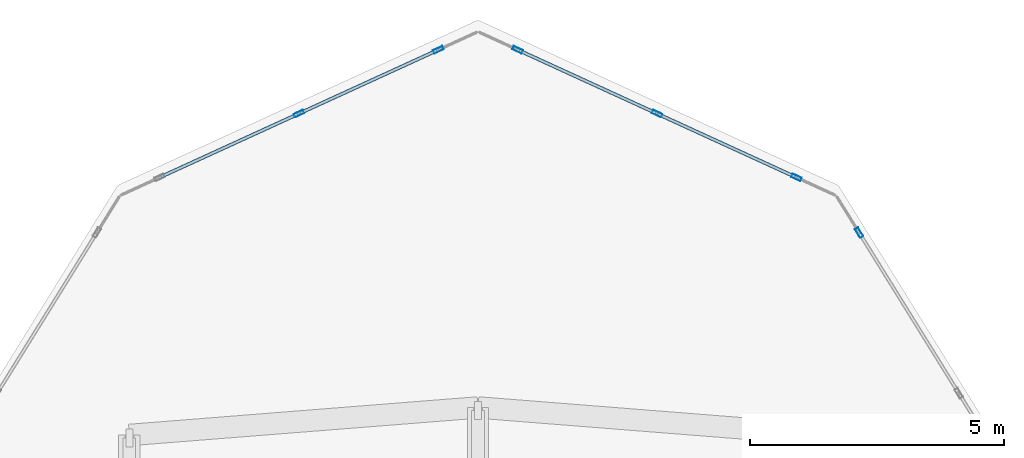
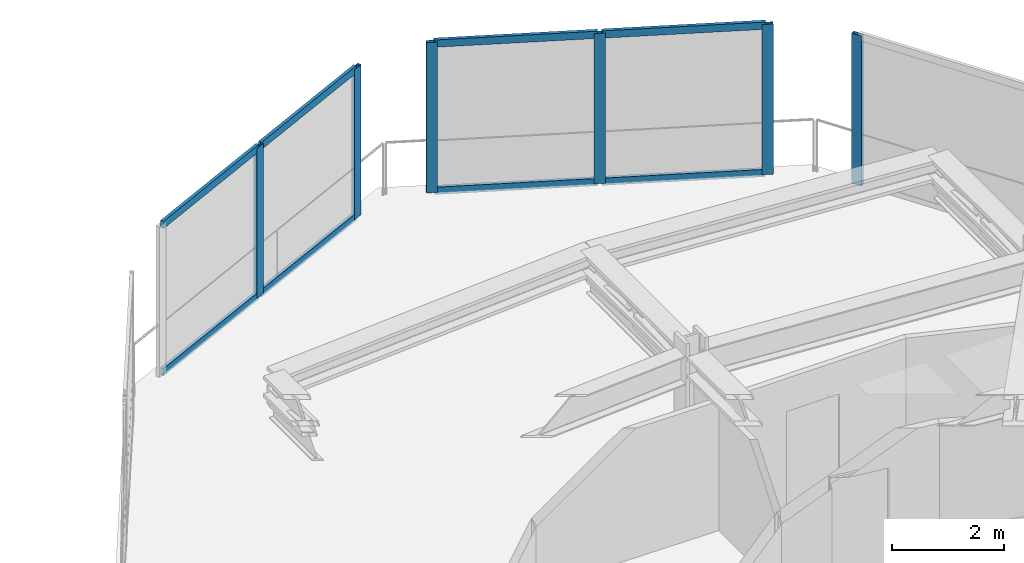
# One storey, part 10 of 19: 14 members, 3 elements without a shape of their own.
"""IFC4 building model written with IfcOpenShell, lengths in metres."""

from ifc_helpers import new_model, si_unit, direction, frame, origin, origin_2d, place, context, subcontext, project, spatial, hollow_rectangle, extrude, material, layer, layer_set, material_profile, profile_set, type_object, element, aggregate, save


model = new_model("IFC4")

# Units and contexts
model_context = context("Model", 3, precision=1e-05, world=origin(), true_north=direction((0.0, 1.0)))
body_context = subcontext(model_context, "Body", "Model", "MODEL_VIEW")
ifc_project = project(units=[si_unit("LENGTHUNIT", "METRE"), si_unit("AREAUNIT", "SQUARE_METRE"), si_unit("VOLUMEUNIT", "CUBIC_METRE"), si_unit("PLANEANGLEUNIT", "RADIAN"), si_unit("MASSUNIT", "GRAM", prefix="KILO")], contexts=[model_context])

# Site, building, storey
site_placement = place(None, origin())
site = spatial("IfcSite", under=ifc_project, at=site_placement, CompositionType="ELEMENT")
building_placement = place(site_placement, origin())
building = spatial("IfcBuilding", under=site, at=building_placement, Name="Solvane Sanctuary Tower", CompositionType="ELEMENT")
storey_placement = place(building_placement, frame((0.0, 0.0, 242.39990234375)))
storey = spatial("IfcBuildingStorey", under=building, at=storey_placement, Name="L74", CompositionType="ELEMENT", Elevation=242.39990234375)

# Curtain wall, member
ifc_material = material(Name="Anodised Aluminium 6063-T6", Category="aluminium")
ifc_layer = layer(ifc_material, 0.18994140625, Name="Anodised Aluminium 6063-T6")
ifc_layer_set = layer_set([ifc_layer], Name="Anodised Aluminium 6063-T6")
curtain_wall_type = type_object("IfcCurtainWallType", Name="Curtain Wall CW-OPER", PredefinedType="NOTDEFINED", material=ifc_layer_set)
curtain_wall_1_placement = place(storey_placement, origin())
curtain_wall_1 = element("IfcCurtainWall", 1, at=curtain_wall_1_placement, inside=storey, type_object=curtain_wall_type, Name="L74 CW-OPER Facade Run 04", PredefinedType="NOTDEFINED")
ifc_material_profile_1 = material_profile(ifc_material, hollow_rectangle(XDim=0.074951171875, YDim=0.199951171875, WallThickness=0.00390625, at=origin_2d()), Name="ALU200X75X4")
ifc_profile_set_1 = profile_set([ifc_material_profile_1], Name="Anodised Aluminium 6063-T6")
member_type_1 = type_object("IfcMemberType", Name="Member M-CW-MUL-1 ALU200X75X4", PredefinedType="MULLION", material=ifc_profile_set_1)
member_1_placement = place(storey_placement, frame((39.495361328125, 45.7177734375, 0.0), z_axis=(0.0, 0.0, 1.0), x_axis=(-0.849622273102, -0.527391688453, 0.0)))
member_1 = element("IfcMember", 2, at=member_1_placement, type_object=member_type_1, Name="CW-OPER mullion 3", PredefinedType="MULLION", context=body_context, shape_type="SweptSolid", body=[
    extrude(hollow_rectangle(XDim=0.074951171875, YDim=0.199951171875, WallThickness=0.00390625, at=origin_2d()), origin(), (0.0, 0.0, 1.0), 3.280029296875),
])
aggregate(curtain_wall_1, [member_1])

# Curtain wall, members
curtain_wall_2_placement = place(storey_placement, origin())
curtain_wall_2 = element("IfcCurtainWall", 3, at=curtain_wall_2_placement, inside=storey, type_object=curtain_wall_type, Name="L74 CW-OPER Facade Run 05", PredefinedType="NOTDEFINED")
member_2_placement = place(storey_placement, frame((38.26318359375, 46.80322265625, 0.0), z_axis=(0.0, 0.0, 1.0), x_axis=(-0.416224941032, -0.909261677661, 0.0)))
member_2 = element("IfcMember", 4, at=member_2_placement, type_object=member_type_1, Name="CW-OPER mullion 1", PredefinedType="MULLION", context=body_context, shape_type="SweptSolid", body=[
    extrude(hollow_rectangle(XDim=0.074951171875, YDim=0.199951171875, WallThickness=0.00390625, at=origin_2d()), origin(), (0.0, 0.0, 1.0), 3.280029296875),
])
member_3_placement = place(storey_placement, frame((35.521484375, 48.058349609375, 0.0), z_axis=(0.0, 0.0, 1.0), x_axis=(-0.416224941032, -0.909261677661, 0.0)))
member_3 = element("IfcMember", 5, at=member_3_placement, type_object=member_type_1, Name="CW-OPER mullion 2", PredefinedType="MULLION", context=body_context, shape_type="SweptSolid", body=[
    extrude(hollow_rectangle(XDim=0.074951171875, YDim=0.199951171875, WallThickness=0.00390625, at=origin_2d()), origin(), (0.0, 0.0, 1.0), 3.280029296875),
])
member_4_placement = place(storey_placement, frame((32.77978515625, 49.3134765625, 0.0), z_axis=(0.0, 0.0, 1.0), x_axis=(-0.416224941032, -0.909261677661, 0.0)))
member_4 = element("IfcMember", 6, at=member_4_placement, type_object=member_type_1, Name="CW-OPER mullion 3", PredefinedType="MULLION", context=body_context, shape_type="SweptSolid", body=[
    extrude(hollow_rectangle(XDim=0.074951171875, YDim=0.199951171875, WallThickness=0.00390625, at=origin_2d()), origin(), (0.0, 0.0, 1.0), 3.280029296875),
])

curtain_wall_3_placement = place(storey_placement, origin())
curtain_wall_3 = element("IfcCurtainWall", 7, at=curtain_wall_3_placement, inside=storey, type_object=curtain_wall_type, Name="L74 CW-OPER Facade Run 06", PredefinedType="NOTDEFINED")
member_5_placement = place(storey_placement, frame((31.22021484375, 49.3134765625, 0.0), z_axis=(0.0, 0.0, 1.0), x_axis=(0.416224941032, -0.909261677661, 0.0)))
member_5 = element("IfcMember", 8, at=member_5_placement, type_object=member_type_1, Name="CW-OPER mullion 1", PredefinedType="MULLION", context=body_context, shape_type="SweptSolid", body=[
    extrude(hollow_rectangle(XDim=0.074951171875, YDim=0.199951171875, WallThickness=0.00390625, at=origin_2d()), origin(), (0.0, 0.0, 1.0), 3.280029296875),
])
member_6_placement = place(storey_placement, frame((28.478515625, 48.058349609375, 0.0), z_axis=(0.0, 0.0, 1.0), x_axis=(0.416224941032, -0.909261677661, 0.0)))
member_6 = element("IfcMember", 9, at=member_6_placement, type_object=member_type_1, Name="CW-OPER mullion 2", PredefinedType="MULLION", context=body_context, shape_type="SweptSolid", body=[
    extrude(hollow_rectangle(XDim=0.074951171875, YDim=0.199951171875, WallThickness=0.00390625, at=origin_2d()), origin(), (0.0, 0.0, 1.0), 3.280029296875),
])

# Member
ifc_material_profile_2 = material_profile(ifc_material, hollow_rectangle(XDim=0.06494140625, YDim=0.159912109375, WallThickness=0.00341796875, at=origin_2d()), Name="ALU160X65X3.5")
ifc_profile_set_2 = profile_set([ifc_material_profile_2], Name="Anodised Aluminium 6063-T6")
member_type_2 = type_object("IfcMemberType", Name="Member M-CW-TRN-1 ALU160X65X3.5", PredefinedType="USERDEFINED", material=ifc_profile_set_2)
member_7_placement = place(storey_placement, frame((38.229248046875, 46.81884765625, 0.03271484375), z_axis=(-0.90925996833, 0.41622867512, 0.0), x_axis=(-0.41622867512, -0.90925996833, 0.0)))
member_7 = element("IfcMember", 10, at=member_7_placement, type_object=member_type_2, Name="CW-OPER transom 1.1", ObjectType="TRANSOM", PredefinedType="USERDEFINED", context=body_context, shape_type="SweptSolid", body=[
    extrude(hollow_rectangle(XDim=0.06494140625, YDim=0.159912109375, WallThickness=0.00341796875, at=origin_2d()), origin(), (0.0, 0.0, 1.0), 2.9404296875),
])

member_8_placement = place(storey_placement, frame((38.229248046875, 46.81884765625, 3.24755859375), z_axis=(-0.90925996833, 0.41622867512, 0.0), x_axis=(-0.41622867512, -0.90925996833, 0.0)))
member_8 = element("IfcMember", 11, at=member_8_placement, type_object=member_type_2, Name="CW-OPER transom 1.2", ObjectType="TRANSOM", PredefinedType="USERDEFINED", context=body_context, shape_type="SweptSolid", body=[
    extrude(hollow_rectangle(XDim=0.06494140625, YDim=0.159912109375, WallThickness=0.00341796875, at=origin_2d()), origin(), (0.0, 0.0, 1.0), 2.9404296875),
])

member_9_placement = place(storey_placement, frame((35.4873046875, 48.073974609375, 0.03271484375), z_axis=(-0.90925996833, 0.41622867512, 0.0), x_axis=(-0.41622867512, -0.90925996833, 0.0)))
member_9 = element("IfcMember", 12, at=member_9_placement, type_object=member_type_2, Name="CW-OPER transom 2.1", ObjectType="TRANSOM", PredefinedType="USERDEFINED", context=body_context, shape_type="SweptSolid", body=[
    extrude(hollow_rectangle(XDim=0.06494140625, YDim=0.159912109375, WallThickness=0.00341796875, at=origin_2d()), origin(), (0.0, 0.0, 1.0), 2.9404296875),
])

member_10_placement = place(storey_placement, frame((35.4873046875, 48.073974609375, 3.24755859375), z_axis=(-0.90925996833, 0.41622867512, 0.0), x_axis=(-0.41622867512, -0.90925996833, 0.0)))
member_10 = element("IfcMember", 13, at=member_10_placement, type_object=member_type_2, Name="CW-OPER transom 2.2", ObjectType="TRANSOM", PredefinedType="USERDEFINED", context=body_context, shape_type="SweptSolid", body=[
    extrude(hollow_rectangle(XDim=0.06494140625, YDim=0.159912109375, WallThickness=0.00341796875, at=origin_2d()), origin(), (0.0, 0.0, 1.0), 2.9404296875),
])

aggregate(curtain_wall_2, [member_2, member_3, member_4, member_7, member_8, member_9, member_10])

member_11_placement = place(storey_placement, frame((31.186279296875, 49.2978515625, 0.03271484375), z_axis=(-0.90925996833, -0.41622867512, 0.0), x_axis=(0.41622867512, -0.90925996833, 0.0)))
member_11 = element("IfcMember", 14, at=member_11_placement, type_object=member_type_2, Name="CW-OPER transom 1.1", ObjectType="TRANSOM", PredefinedType="USERDEFINED", context=body_context, shape_type="SweptSolid", body=[
    extrude(hollow_rectangle(XDim=0.06494140625, YDim=0.159912109375, WallThickness=0.00341796875, at=origin_2d()), origin(), (0.0, 0.0, 1.0), 2.9404296875),
])

member_12_placement = place(storey_placement, frame((31.186279296875, 49.2978515625, 3.24755859375), z_axis=(-0.90925996833, -0.41622867512, 0.0), x_axis=(0.41622867512, -0.90925996833, 0.0)))
member_12 = element("IfcMember", 15, at=member_12_placement, type_object=member_type_2, Name="CW-OPER transom 1.2", ObjectType="TRANSOM", PredefinedType="USERDEFINED", context=body_context, shape_type="SweptSolid", body=[
    extrude(hollow_rectangle(XDim=0.06494140625, YDim=0.159912109375, WallThickness=0.00341796875, at=origin_2d()), origin(), (0.0, 0.0, 1.0), 2.9404296875),
])

member_13_placement = place(storey_placement, frame((28.4443359375, 48.042724609375, 0.03271484375), z_axis=(-0.90925996833, -0.41622867512, 0.0), x_axis=(0.41622867512, -0.90925996833, 0.0)))
member_13 = element("IfcMember", 16, at=member_13_placement, type_object=member_type_2, Name="CW-OPER transom 2.1", ObjectType="TRANSOM", PredefinedType="USERDEFINED", context=body_context, shape_type="SweptSolid", body=[
    extrude(hollow_rectangle(XDim=0.06494140625, YDim=0.159912109375, WallThickness=0.00341796875, at=origin_2d()), origin(), (0.0, 0.0, 1.0), 2.9404296875),
])

member_14_placement = place(storey_placement, frame((28.4443359375, 48.042724609375, 3.24755859375), z_axis=(-0.90925996833, -0.41622867512, 0.0), x_axis=(0.41622867512, -0.90925996833, 0.0)))
member_14 = element("IfcMember", 17, at=member_14_placement, type_object=member_type_2, Name="CW-OPER transom 2.2", ObjectType="TRANSOM", PredefinedType="USERDEFINED", context=body_context, shape_type="SweptSolid", body=[
    extrude(hollow_rectangle(XDim=0.06494140625, YDim=0.159912109375, WallThickness=0.00341796875, at=origin_2d()), origin(), (0.0, 0.0, 1.0), 2.9404296875),
])

aggregate(curtain_wall_3, [member_5, member_6, member_11, member_12, member_13, member_14])

save(model, "model.ifc")
